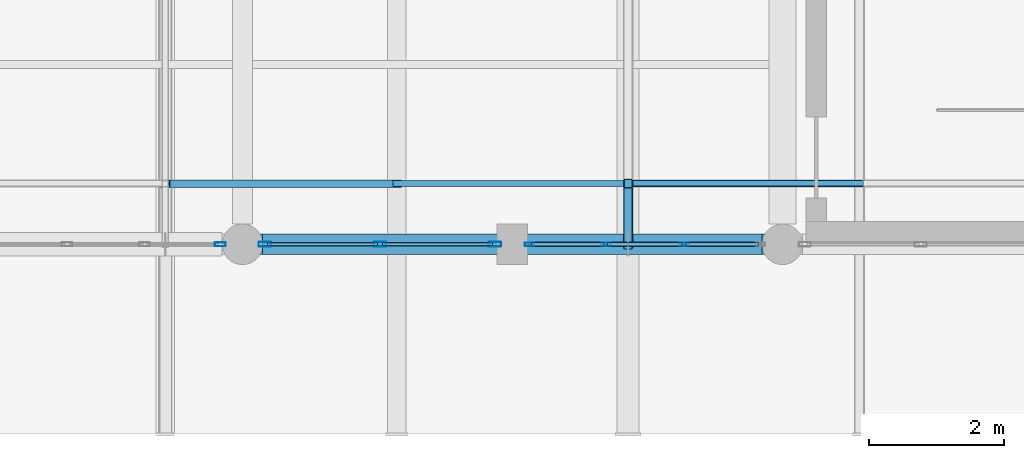
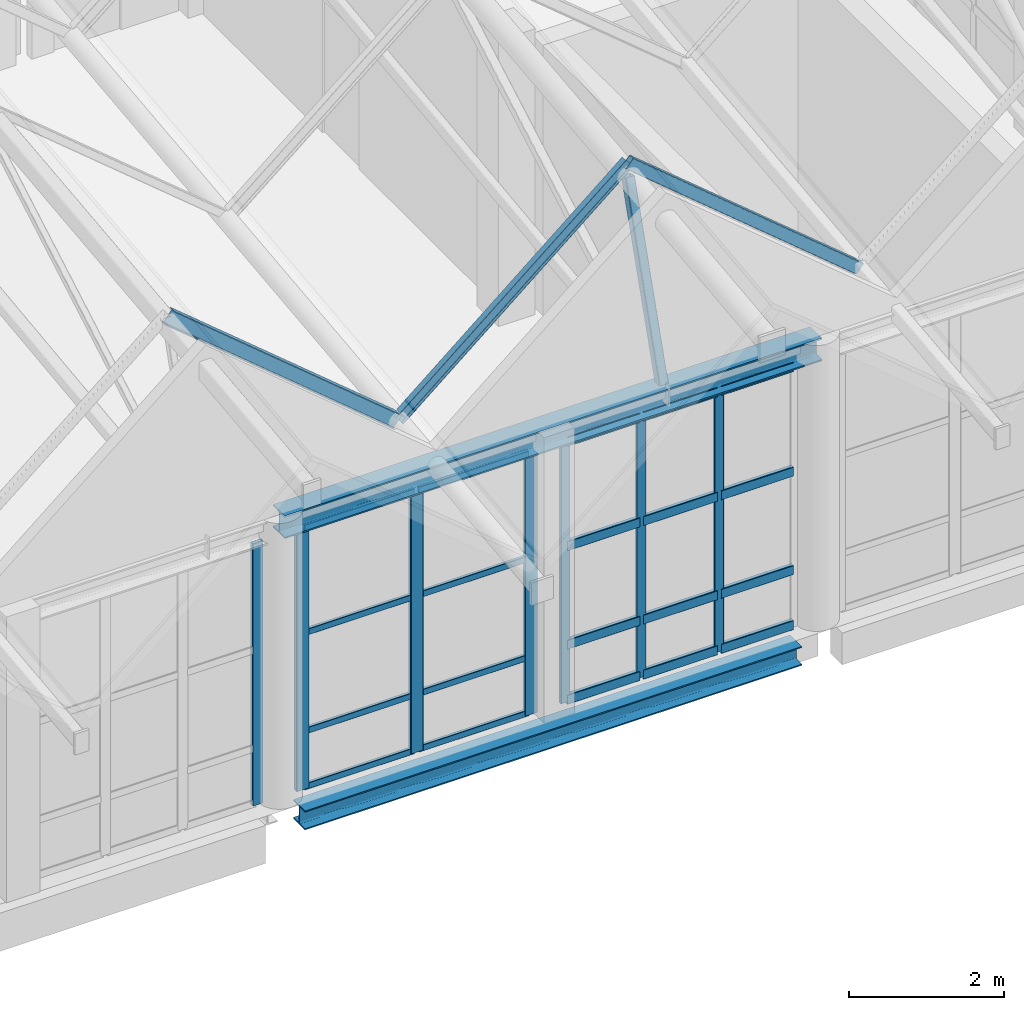
# One storey, part 75 of 183: 31 members, 2 beams, 3 elements without a shape of their own.
"""IFC4 building model written with IfcOpenShell, lengths in metres."""

from ifc_helpers import new_model, si_unit, direction, frame, origin, origin_2d, place, context, subcontext, project, spatial, hollow_rectangle, i_section, extrude, material, material_profile, profile_set, type_object, element, aggregate, save


model = new_model("IFC4")

# Units and contexts
model_context = context("Model", 3, precision=1e-05, world=origin(), true_north=direction((0.0, 1.0)))
body_context = subcontext(model_context, "Body", "Model", "MODEL_VIEW")
ifc_project = project(units=[si_unit("LENGTHUNIT", "METRE"), si_unit("AREAUNIT", "SQUARE_METRE"), si_unit("VOLUMEUNIT", "CUBIC_METRE"), si_unit("PLANEANGLEUNIT", "RADIAN"), si_unit("MASSUNIT", "GRAM", prefix="KILO")], contexts=[model_context])

# Site, building, storey
site_placement = place(None, origin())
site = spatial("IfcSite", under=ifc_project, at=site_placement, CompositionType="ELEMENT")
building_placement = place(site_placement, origin())
building = spatial("IfcBuilding", under=site, at=building_placement, Name="Luwemba Playhouse", CompositionType="ELEMENT")
storey_placement = place(building_placement, frame((0.0, 0.0, 4.800048828125)))
storey = spatial("IfcBuildingStorey", under=building, at=storey_placement, Name="L01", CompositionType="ELEMENT", Elevation=4.800048828125)

# Beams
ifc_material_1 = material(Name="Steel S355", Category="steel")
ifc_material_profile_1 = material_profile(ifc_material_1, i_section(OverallWidth=0.300048828125, OverallDepth=0.360107421875, WebThickness=0.012451171875, FlangeThickness=0.0224609375, FilletRadius=0.027099609375, at=origin_2d()))
ifc_profile_set_1 = profile_set([ifc_material_profile_1], Name="Steel S355")
beam_type_1 = type_object("IfcBeamType", Name="BM-SB09", PredefinedType="BEAM", material=ifc_profile_set_1)
beam_1_placement = place(storey_placement, frame((156.0, 3.0, 4.320068359375), z_axis=(1.0, 0.0, 0.0), x_axis=(0.0, 1.0, 0.0)))
element("IfcBeam", 1, at=beam_1_placement, inside=storey, type_object=beam_type_1, Name="RF-V5E eave ring beam 0295", PredefinedType="BEAM", context=body_context, shape_type="SweptSolid", body=[
    extrude(i_section(OverallWidth=0.300048828125, OverallDepth=0.360107421875, WebThickness=0.012451171875, FlangeThickness=0.0224609375, FilletRadius=0.027099609375, at=origin_2d()), origin(), (0.0, 0.0, 1.0), 8.0),
])
ifc_material_profile_2 = material_profile(ifc_material_1, i_section(OverallWidth=0.300048828125, OverallDepth=0.300048828125, WebThickness=0.010986328125, FlangeThickness=0.01904296875, FilletRadius=0.027099609375, at=origin_2d()))
ifc_profile_set_2 = profile_set([ifc_material_profile_2], Name="Steel S355")
beam_type_2 = type_object("IfcBeamType", Name="BM-SSP1", PredefinedType="SPANDREL", material=ifc_profile_set_2)
beam_2_placement = place(storey_placement, frame((156.300048828125, 3.0, -0.400146484375), z_axis=(1.0, 0.0, 0.0), x_axis=(0.0, 1.0, 0.0)))
element("IfcBeam", 2, at=beam_2_placement, inside=storey, type_object=beam_type_2, Name="L01 grid girder 0523", PredefinedType="SPANDREL", context=body_context, shape_type="SweptSolid", body=[
    extrude(i_section(OverallWidth=0.300048828125, OverallDepth=0.300048828125, WebThickness=0.010986328125, FlangeThickness=0.01904296875, FilletRadius=0.027099609375, at=origin_2d()), origin(), (0.0, 0.0, 1.0), 7.39990234375),
])

# Curtain wall, member
ifc_material_2 = material(Name="Solar-control double glazing", Category="glass")
curtain_wall_type_1 = type_object("IfcCurtainWallType", Name="CW-CW132", PredefinedType="USERDEFINED", material=ifc_material_2)
curtain_wall_1_placement = place(storey_placement, origin())
curtain_wall_1 = element("IfcCurtainWall", 3, at=curtain_wall_1_placement, inside=storey, type_object=curtain_wall_type_1, Name="L01 V5E unitised curtain wall 174", ObjectType="UNITISED GLAZING", PredefinedType="USERDEFINED")
ifc_material_3 = material(Name="Aluminium 6063-T6", Category="aluminium")
ifc_material_profile_3 = material_profile(ifc_material_3, hollow_rectangle(XDim=0.06005859375, YDim=0.159912109375, WallThickness=0.00390625, InnerFilletRadius=0.006103515625, OuterFilletRadius=0.010009765625, at=origin_2d()))
ifc_profile_set_3 = profile_set([ifc_material_profile_3], Name="Aluminium 6063-T6")
member_type_1 = type_object("IfcMemberType", Name="CWM-M1", PredefinedType="MULLION", material=ifc_profile_set_3)
member_1_placement = place(storey_placement, frame((155.669921875, 3.0, 0.0), z_axis=(0.0, 0.0, 1.0), x_axis=(0.0, -1.0, 0.0)))
member_1 = element("IfcMember", 4, at=member_1_placement, type_object=member_type_1, Name="CW132 mullion 1", PredefinedType="MULLION", context=body_context, shape_type="SweptSolid", body=[
    extrude(hollow_rectangle(XDim=0.06005859375, YDim=0.159912109375, WallThickness=0.00390625, InnerFilletRadius=0.006103515625, OuterFilletRadius=0.010009765625, at=origin_2d()), origin(), (0.0, 0.0, 1.0), 4.125),
])
aggregate(curtain_wall_1, [member_1])

# Curtain wall, members
curtain_wall_type_2 = type_object("IfcCurtainWallType", Name="CW-CW118", PredefinedType="USERDEFINED", material=ifc_material_2)
curtain_wall_2_placement = place(storey_placement, origin())
curtain_wall_2 = element("IfcCurtainWall", 5, at=curtain_wall_2_placement, inside=storey, type_object=curtain_wall_type_2, Name="L01 V5E unitised curtain wall 172", ObjectType="UNITISED GLAZING", PredefinedType="USERDEFINED")
ifc_material_profile_4 = material_profile(ifc_material_3, hollow_rectangle(XDim=0.054931640625, YDim=0.139892578125, WallThickness=0.00390625, InnerFilletRadius=0.006103515625, OuterFilletRadius=0.010009765625, at=origin_2d()))
ifc_profile_set_4 = profile_set([ifc_material_profile_4], Name="Aluminium 6063-T6")
member_type_2 = type_object("IfcMemberType", Name="CWM-M3", PredefinedType="MULLION", material=ifc_profile_set_4)
member_2_placement = place(storey_placement, frame((162.541748046875, 3.0, 0.0), z_axis=(0.0, 0.0, 1.0), x_axis=(0.0, -1.0, 0.0)))
member_2 = element("IfcMember", 6, at=member_2_placement, type_object=member_type_2, Name="CW118 mullion 2", PredefinedType="MULLION", context=body_context, shape_type="SweptSolid", body=[
    extrude(hollow_rectangle(XDim=0.054931640625, YDim=0.139892578125, WallThickness=0.00390625, InnerFilletRadius=0.006103515625, OuterFilletRadius=0.010009765625, at=origin_2d()), origin(), (0.0, 0.0, 1.0), 4.125),
])
member_3_placement = place(storey_placement, frame((161.38330078125, 3.0, 0.0), z_axis=(0.0, 0.0, 1.0), x_axis=(0.0, -1.0, 0.0)))
member_3 = element("IfcMember", 7, at=member_3_placement, type_object=member_type_2, Name="CW118 mullion 3", PredefinedType="MULLION", context=body_context, shape_type="SweptSolid", body=[
    extrude(hollow_rectangle(XDim=0.054931640625, YDim=0.139892578125, WallThickness=0.00390625, InnerFilletRadius=0.006103515625, OuterFilletRadius=0.010009765625, at=origin_2d()), origin(), (0.0, 0.0, 1.0), 4.125),
])
member_4_placement = place(storey_placement, frame((160.25244140625, 3.0, 0.0), z_axis=(0.0, 0.0, 1.0), x_axis=(0.0, -1.0, 0.0)))
member_4 = element("IfcMember", 8, at=member_4_placement, type_object=member_type_2, Name="CW118 mullion 4", PredefinedType="MULLION", context=body_context, shape_type="SweptSolid", body=[
    extrude(hollow_rectangle(XDim=0.054931640625, YDim=0.139892578125, WallThickness=0.00390625, InnerFilletRadius=0.006103515625, OuterFilletRadius=0.010009765625, at=origin_2d()), origin(), (0.0, 0.0, 1.0), 4.125),
])

curtain_wall_type_3 = type_object("IfcCurtainWallType", Name="CW-CW123", PredefinedType="USERDEFINED", material=ifc_material_2)
curtain_wall_3_placement = place(storey_placement, origin())
curtain_wall_3 = element("IfcCurtainWall", 9, at=curtain_wall_3_placement, inside=storey, type_object=curtain_wall_type_3, Name="L01 V5E unitised curtain wall 173", ObjectType="UNITISED GLAZING", PredefinedType="USERDEFINED")
ifc_material_profile_5 = material_profile(ifc_material_3, hollow_rectangle(XDim=0.070068359375, YDim=0.18994140625, WallThickness=0.0048828125, InnerFilletRadius=0.007568359375, OuterFilletRadius=0.012451171875, at=origin_2d()))
ifc_profile_set_5 = profile_set([ifc_material_profile_5], Name="Aluminium 6063-T6")
member_type_3 = type_object("IfcMemberType", Name="CWM-M4", PredefinedType="MULLION", material=ifc_profile_set_5)
member_5_placement = place(storey_placement, frame((159.739990234375, 3.0, 0.0), z_axis=(0.0, 0.0, 1.0), x_axis=(0.0, -1.0, 0.0)))
member_5 = element("IfcMember", 10, at=member_5_placement, type_object=member_type_3, Name="CW123 mullion 1", PredefinedType="MULLION", context=body_context, shape_type="SweptSolid", body=[
    extrude(hollow_rectangle(XDim=0.070068359375, YDim=0.18994140625, WallThickness=0.0048828125, InnerFilletRadius=0.007568359375, OuterFilletRadius=0.012451171875, at=origin_2d()), origin(), (0.0, 0.0, 1.0), 4.125),
])
member_6_placement = place(storey_placement, frame((158.03759765625, 3.0, 0.0), z_axis=(0.0, 0.0, 1.0), x_axis=(0.0, -1.0, 0.0)))
member_6 = element("IfcMember", 11, at=member_6_placement, type_object=member_type_3, Name="CW123 mullion 2", PredefinedType="MULLION", context=body_context, shape_type="SweptSolid", body=[
    extrude(hollow_rectangle(XDim=0.070068359375, YDim=0.18994140625, WallThickness=0.0048828125, InnerFilletRadius=0.007568359375, OuterFilletRadius=0.012451171875, at=origin_2d()), origin(), (0.0, 0.0, 1.0), 4.125),
])
member_7_placement = place(storey_placement, frame((156.3349609375, 3.0, 0.0), z_axis=(0.0, 0.0, 1.0), x_axis=(0.0, -1.0, 0.0)))
member_7 = element("IfcMember", 12, at=member_7_placement, type_object=member_type_3, Name="CW123 mullion 3", PredefinedType="MULLION", context=body_context, shape_type="SweptSolid", body=[
    extrude(hollow_rectangle(XDim=0.070068359375, YDim=0.18994140625, WallThickness=0.0048828125, InnerFilletRadius=0.007568359375, OuterFilletRadius=0.012451171875, at=origin_2d()), origin(), (0.0, 0.0, 1.0), 4.125),
])

# Member
ifc_material_profile_6 = material_profile(ifc_material_3, hollow_rectangle(XDim=0.06494140625, YDim=0.14990234375, WallThickness=0.00390625, InnerFilletRadius=0.006103515625, OuterFilletRadius=0.010009765625, at=origin_2d()))
ifc_profile_set_6 = profile_set([ifc_material_profile_6], Name="Aluminium 6063-T6")
member_type_4 = type_object("IfcMemberType", Name="CWT-T3", PredefinedType="USERDEFINED", material=ifc_profile_set_6)
member_8_placement = place(storey_placement, frame((163.64501953125, 3.0, 0.032470703125), z_axis=(-1.0, 0.0, 0.0), x_axis=(0.0, -1.0, 0.0)))
member_8 = element("IfcMember", 13, at=member_8_placement, type_object=member_type_4, Name="CW118 transom 1.1", ObjectType="TRANSOM", PredefinedType="USERDEFINED", context=body_context, shape_type="SweptSolid", body=[
    extrude(hollow_rectangle(XDim=0.06494140625, YDim=0.14990234375, WallThickness=0.00390625, InnerFilletRadius=0.006103515625, OuterFilletRadius=0.010009765625, at=origin_2d()), origin(), (0.0, 0.0, 1.0), 1.075927734375),
])

member_9_placement = place(storey_placement, frame((163.64501953125, 3.0, 0.89990234375), z_axis=(-1.0, 0.0, 0.0), x_axis=(0.0, -1.0, 0.0)))
member_9 = element("IfcMember", 14, at=member_9_placement, type_object=member_type_4, Name="CW118 transom 1.2", ObjectType="TRANSOM", PredefinedType="USERDEFINED", context=body_context, shape_type="SweptSolid", body=[
    extrude(hollow_rectangle(XDim=0.06494140625, YDim=0.14990234375, WallThickness=0.00390625, InnerFilletRadius=0.006103515625, OuterFilletRadius=0.010009765625, at=origin_2d()), origin(), (0.0, 0.0, 1.0), 1.075927734375),
])

member_10_placement = place(storey_placement, frame((163.64501953125, 3.0, 2.449951171875), z_axis=(-1.0, 0.0, 0.0), x_axis=(0.0, -1.0, 0.0)))
member_10 = element("IfcMember", 15, at=member_10_placement, type_object=member_type_4, Name="CW118 transom 1.3", ObjectType="TRANSOM", PredefinedType="USERDEFINED", context=body_context, shape_type="SweptSolid", body=[
    extrude(hollow_rectangle(XDim=0.06494140625, YDim=0.14990234375, WallThickness=0.00390625, InnerFilletRadius=0.006103515625, OuterFilletRadius=0.010009765625, at=origin_2d()), origin(), (0.0, 0.0, 1.0), 1.075927734375),
])

member_11_placement = place(storey_placement, frame((163.64501953125, 3.0, 4.092529296875), z_axis=(-1.0, 0.0, 0.0), x_axis=(0.0, -1.0, 0.0)))
member_11 = element("IfcMember", 16, at=member_11_placement, type_object=member_type_4, Name="CW118 transom 1.4", ObjectType="TRANSOM", PredefinedType="USERDEFINED", context=body_context, shape_type="SweptSolid", body=[
    extrude(hollow_rectangle(XDim=0.06494140625, YDim=0.14990234375, WallThickness=0.00390625, InnerFilletRadius=0.006103515625, OuterFilletRadius=0.010009765625, at=origin_2d()), origin(), (0.0, 0.0, 1.0), 1.075927734375),
])

member_12_placement = place(storey_placement, frame((162.51416015625, 3.0, 0.032470703125), z_axis=(-1.0, 0.0, 0.0), x_axis=(0.0, -1.0, 0.0)))
member_12 = element("IfcMember", 17, at=member_12_placement, type_object=member_type_4, Name="CW118 transom 2.1", ObjectType="TRANSOM", PredefinedType="USERDEFINED", context=body_context, shape_type="SweptSolid", body=[
    extrude(hollow_rectangle(XDim=0.06494140625, YDim=0.14990234375, WallThickness=0.00390625, InnerFilletRadius=0.006103515625, OuterFilletRadius=0.010009765625, at=origin_2d()), origin(), (0.0, 0.0, 1.0), 1.103271484375),
])

member_13_placement = place(storey_placement, frame((162.51416015625, 3.0, 0.89990234375), z_axis=(-1.0, 0.0, 0.0), x_axis=(0.0, -1.0, 0.0)))
member_13 = element("IfcMember", 18, at=member_13_placement, type_object=member_type_4, Name="CW118 transom 2.2", ObjectType="TRANSOM", PredefinedType="USERDEFINED", context=body_context, shape_type="SweptSolid", body=[
    extrude(hollow_rectangle(XDim=0.06494140625, YDim=0.14990234375, WallThickness=0.00390625, InnerFilletRadius=0.006103515625, OuterFilletRadius=0.010009765625, at=origin_2d()), origin(), (0.0, 0.0, 1.0), 1.103271484375),
])

member_14_placement = place(storey_placement, frame((162.51416015625, 3.0, 2.449951171875), z_axis=(-1.0, 0.0, 0.0), x_axis=(0.0, -1.0, 0.0)))
member_14 = element("IfcMember", 19, at=member_14_placement, type_object=member_type_4, Name="CW118 transom 2.3", ObjectType="TRANSOM", PredefinedType="USERDEFINED", context=body_context, shape_type="SweptSolid", body=[
    extrude(hollow_rectangle(XDim=0.06494140625, YDim=0.14990234375, WallThickness=0.00390625, InnerFilletRadius=0.006103515625, OuterFilletRadius=0.010009765625, at=origin_2d()), origin(), (0.0, 0.0, 1.0), 1.103271484375),
])

member_15_placement = place(storey_placement, frame((162.51416015625, 3.0, 4.092529296875), z_axis=(-1.0, 0.0, 0.0), x_axis=(0.0, -1.0, 0.0)))
member_15 = element("IfcMember", 20, at=member_15_placement, type_object=member_type_4, Name="CW118 transom 2.4", ObjectType="TRANSOM", PredefinedType="USERDEFINED", context=body_context, shape_type="SweptSolid", body=[
    extrude(hollow_rectangle(XDim=0.06494140625, YDim=0.14990234375, WallThickness=0.00390625, InnerFilletRadius=0.006103515625, OuterFilletRadius=0.010009765625, at=origin_2d()), origin(), (0.0, 0.0, 1.0), 1.103271484375),
])

member_16_placement = place(storey_placement, frame((161.355712890625, 3.0, 0.032470703125), z_axis=(-1.0, 0.0, 0.0), x_axis=(0.0, -1.0, 0.0)))
member_16 = element("IfcMember", 21, at=member_16_placement, type_object=member_type_4, Name="CW118 transom 3.1", ObjectType="TRANSOM", PredefinedType="USERDEFINED", context=body_context, shape_type="SweptSolid", body=[
    extrude(hollow_rectangle(XDim=0.06494140625, YDim=0.14990234375, WallThickness=0.00390625, InnerFilletRadius=0.006103515625, OuterFilletRadius=0.010009765625, at=origin_2d()), origin(), (0.0, 0.0, 1.0), 1.07568359375),
])

member_17_placement = place(storey_placement, frame((161.355712890625, 3.0, 0.89990234375), z_axis=(-1.0, 0.0, 0.0), x_axis=(0.0, -1.0, 0.0)))
member_17 = element("IfcMember", 22, at=member_17_placement, type_object=member_type_4, Name="CW118 transom 3.2", ObjectType="TRANSOM", PredefinedType="USERDEFINED", context=body_context, shape_type="SweptSolid", body=[
    extrude(hollow_rectangle(XDim=0.06494140625, YDim=0.14990234375, WallThickness=0.00390625, InnerFilletRadius=0.006103515625, OuterFilletRadius=0.010009765625, at=origin_2d()), origin(), (0.0, 0.0, 1.0), 1.07568359375),
])

member_18_placement = place(storey_placement, frame((161.355712890625, 3.0, 2.449951171875), z_axis=(-1.0, 0.0, 0.0), x_axis=(0.0, -1.0, 0.0)))
member_18 = element("IfcMember", 23, at=member_18_placement, type_object=member_type_4, Name="CW118 transom 3.3", ObjectType="TRANSOM", PredefinedType="USERDEFINED", context=body_context, shape_type="SweptSolid", body=[
    extrude(hollow_rectangle(XDim=0.06494140625, YDim=0.14990234375, WallThickness=0.00390625, InnerFilletRadius=0.006103515625, OuterFilletRadius=0.010009765625, at=origin_2d()), origin(), (0.0, 0.0, 1.0), 1.07568359375),
])

member_19_placement = place(storey_placement, frame((161.355712890625, 3.0, 4.092529296875), z_axis=(-1.0, 0.0, 0.0), x_axis=(0.0, -1.0, 0.0)))
member_19 = element("IfcMember", 24, at=member_19_placement, type_object=member_type_4, Name="CW118 transom 3.4", ObjectType="TRANSOM", PredefinedType="USERDEFINED", context=body_context, shape_type="SweptSolid", body=[
    extrude(hollow_rectangle(XDim=0.06494140625, YDim=0.14990234375, WallThickness=0.00390625, InnerFilletRadius=0.006103515625, OuterFilletRadius=0.010009765625, at=origin_2d()), origin(), (0.0, 0.0, 1.0), 1.07568359375),
])

aggregate(curtain_wall_2, [member_2, member_3, member_4, member_8, member_9, member_10, member_11, member_12, member_13, member_14, member_15, member_16, member_17, member_18, member_19])

ifc_material_profile_7 = material_profile(ifc_material_3, hollow_rectangle(XDim=0.050048828125, YDim=0.10009765625, WallThickness=0.00341796875, InnerFilletRadius=0.00537109375, OuterFilletRadius=0.0087890625, at=origin_2d()))
ifc_profile_set_7 = profile_set([ifc_material_profile_7], Name="Aluminium 6063-T6")
member_type_5 = type_object("IfcMemberType", Name="CWT-T4", PredefinedType="USERDEFINED", material=ifc_profile_set_7)
member_20_placement = place(storey_placement, frame((159.705078125, 3.0, 0.02490234375), z_axis=(-1.0, 0.0, 0.0), x_axis=(0.0, -1.0, 0.0)))
member_20 = element("IfcMember", 25, at=member_20_placement, type_object=member_type_5, Name="CW123 transom 1.1", ObjectType="TRANSOM", PredefinedType="USERDEFINED", context=body_context, shape_type="SweptSolid", body=[
    extrude(hollow_rectangle(XDim=0.050048828125, YDim=0.10009765625, WallThickness=0.00341796875, InnerFilletRadius=0.00537109375, OuterFilletRadius=0.0087890625, at=origin_2d()), origin(), (0.0, 0.0, 1.0), 1.632568359375),
])

member_21_placement = place(storey_placement, frame((159.705078125, 3.0, 0.89990234375), z_axis=(-1.0, 0.0, 0.0), x_axis=(0.0, -1.0, 0.0)))
member_21 = element("IfcMember", 26, at=member_21_placement, type_object=member_type_5, Name="CW123 transom 1.2", ObjectType="TRANSOM", PredefinedType="USERDEFINED", context=body_context, shape_type="SweptSolid", body=[
    extrude(hollow_rectangle(XDim=0.050048828125, YDim=0.10009765625, WallThickness=0.00341796875, InnerFilletRadius=0.00537109375, OuterFilletRadius=0.0087890625, at=origin_2d()), origin(), (0.0, 0.0, 1.0), 1.632568359375),
])

member_22_placement = place(storey_placement, frame((159.705078125, 3.0, 2.449951171875), z_axis=(-1.0, 0.0, 0.0), x_axis=(0.0, -1.0, 0.0)))
member_22 = element("IfcMember", 27, at=member_22_placement, type_object=member_type_5, Name="CW123 transom 1.3", ObjectType="TRANSOM", PredefinedType="USERDEFINED", context=body_context, shape_type="SweptSolid", body=[
    extrude(hollow_rectangle(XDim=0.050048828125, YDim=0.10009765625, WallThickness=0.00341796875, InnerFilletRadius=0.00537109375, OuterFilletRadius=0.0087890625, at=origin_2d()), origin(), (0.0, 0.0, 1.0), 1.632568359375),
])

member_23_placement = place(storey_placement, frame((159.705078125, 3.0, 4.099853515625), z_axis=(-1.0, 0.0, 0.0), x_axis=(0.0, -1.0, 0.0)))
member_23 = element("IfcMember", 28, at=member_23_placement, type_object=member_type_5, Name="CW123 transom 1.4", ObjectType="TRANSOM", PredefinedType="USERDEFINED", context=body_context, shape_type="SweptSolid", body=[
    extrude(hollow_rectangle(XDim=0.050048828125, YDim=0.10009765625, WallThickness=0.00341796875, InnerFilletRadius=0.00537109375, OuterFilletRadius=0.0087890625, at=origin_2d()), origin(), (0.0, 0.0, 1.0), 1.632568359375),
])

member_24_placement = place(storey_placement, frame((158.00244140625, 3.0, 0.02490234375), z_axis=(-1.0, 0.0, 0.0), x_axis=(0.0, -1.0, 0.0)))
member_24 = element("IfcMember", 29, at=member_24_placement, type_object=member_type_5, Name="CW123 transom 2.1", ObjectType="TRANSOM", PredefinedType="USERDEFINED", context=body_context, shape_type="SweptSolid", body=[
    extrude(hollow_rectangle(XDim=0.050048828125, YDim=0.10009765625, WallThickness=0.00341796875, InnerFilletRadius=0.00537109375, OuterFilletRadius=0.0087890625, at=origin_2d()), origin(), (0.0, 0.0, 1.0), 1.63232421875),
])

member_25_placement = place(storey_placement, frame((158.00244140625, 3.0, 0.89990234375), z_axis=(-1.0, 0.0, 0.0), x_axis=(0.0, -1.0, 0.0)))
member_25 = element("IfcMember", 30, at=member_25_placement, type_object=member_type_5, Name="CW123 transom 2.2", ObjectType="TRANSOM", PredefinedType="USERDEFINED", context=body_context, shape_type="SweptSolid", body=[
    extrude(hollow_rectangle(XDim=0.050048828125, YDim=0.10009765625, WallThickness=0.00341796875, InnerFilletRadius=0.00537109375, OuterFilletRadius=0.0087890625, at=origin_2d()), origin(), (0.0, 0.0, 1.0), 1.63232421875),
])

member_26_placement = place(storey_placement, frame((158.00244140625, 3.0, 2.449951171875), z_axis=(-1.0, 0.0, 0.0), x_axis=(0.0, -1.0, 0.0)))
member_26 = element("IfcMember", 31, at=member_26_placement, type_object=member_type_5, Name="CW123 transom 2.3", ObjectType="TRANSOM", PredefinedType="USERDEFINED", context=body_context, shape_type="SweptSolid", body=[
    extrude(hollow_rectangle(XDim=0.050048828125, YDim=0.10009765625, WallThickness=0.00341796875, InnerFilletRadius=0.00537109375, OuterFilletRadius=0.0087890625, at=origin_2d()), origin(), (0.0, 0.0, 1.0), 1.63232421875),
])

member_27_placement = place(storey_placement, frame((158.00244140625, 3.0, 4.099853515625), z_axis=(-1.0, 0.0, 0.0), x_axis=(0.0, -1.0, 0.0)))
member_27 = element("IfcMember", 32, at=member_27_placement, type_object=member_type_5, Name="CW123 transom 2.4", ObjectType="TRANSOM", PredefinedType="USERDEFINED", context=body_context, shape_type="SweptSolid", body=[
    extrude(hollow_rectangle(XDim=0.050048828125, YDim=0.10009765625, WallThickness=0.00341796875, InnerFilletRadius=0.00537109375, OuterFilletRadius=0.0087890625, at=origin_2d()), origin(), (0.0, 0.0, 1.0), 1.63232421875),
])

aggregate(curtain_wall_3, [member_5, member_6, member_7, member_20, member_21, member_22, member_23, member_24, member_25, member_26, member_27])

# Members
ifc_material_profile_8 = material_profile(ifc_material_1, hollow_rectangle(XDim=0.139892578125, YDim=0.139892578125, WallThickness=0.008056640625, InnerFilletRadius=0.011962890625, OuterFilletRadius=0.02001953125, at=origin_2d()))
ifc_profile_set_8 = profile_set([ifc_material_profile_8], Name="Steel S355")
member_type_6 = type_object("IfcMemberType", Name="MEM-MB07", PredefinedType="BRACE", material=ifc_profile_set_8)
member_28_placement = place(storey_placement, frame((161.71435546875, 3.0, 4.39990234375), z_axis=(0.0, 0.303860291907, 0.95271660162), x_axis=(-1.0, 0.0, 0.0)))
element("IfcMember", 33, at=member_28_placement, inside=storey, type_object=member_type_6, Name="ROOF TRUSS eave knee strut 0082", PredefinedType="BRACE", context=body_context, shape_type="SweptSolid", body=[
    extrude(hollow_rectangle(XDim=0.139892578125, YDim=0.139892578125, WallThickness=0.008056640625, InnerFilletRadius=0.011962890625, OuterFilletRadius=0.02001953125, at=origin_2d()), origin(), (0.0, 0.0, 1.0), 2.961669921875),
])
ifc_material_profile_9 = material_profile(ifc_material_1, hollow_rectangle(XDim=0.10009765625, YDim=0.179931640625, WallThickness=0.008056640625, InnerFilletRadius=0.011962890625, OuterFilletRadius=0.02001953125, at=origin_2d()))
ifc_profile_set_9 = profile_set([ifc_material_profile_9], Name="Steel S355")
member_type_7 = type_object("IfcMemberType", Name="MEM-MP04", PredefinedType="PURLIN", material=ifc_profile_set_9)
member_29_placement = place(storey_placement, frame((161.71435546875, 3.89990234375, 7.43505859375), z_axis=(0.768315447045, 0.0, -0.640071381826), x_axis=(0.0, 1.0, 0.0)))
element("IfcMember", 34, at=member_29_placement, inside=storey, type_object=member_type_7, Name="Pleated roof purlin 0595", PredefinedType="PURLIN", context=body_context, shape_type="SweptSolid", body=[
    extrude(hollow_rectangle(XDim=0.10009765625, YDim=0.179931640625, WallThickness=0.008056640625, InnerFilletRadius=0.011962890625, OuterFilletRadius=0.02001953125, at=origin_2d()), origin(), (0.0, 0.0, 1.0), 4.46240234375),
])
ifc_material_profile_10 = material_profile(ifc_material_1, i_section(OverallWidth=0.091064453125, OverallDepth=0.179931640625, WebThickness=0.00537109375, FlangeThickness=0.008056640625, FilletRadius=0.009033203125, at=origin_2d()))
ifc_profile_set_10 = profile_set([ifc_material_profile_10], Name="Steel S355")
member_type_8 = type_object("IfcMemberType", Name="MEM-MP06", PredefinedType="PURLIN", material=ifc_profile_set_10)
member_30_placement = place(storey_placement, frame((158.28564453125, 3.89990234375, 4.582763671875), z_axis=(0.768364765209, 0.0, 0.640012177685), x_axis=(0.0, 1.0, 0.0)))
element("IfcMember", 35, at=member_30_placement, inside=storey, type_object=member_type_8, Name="Pleated roof purlin 0589", PredefinedType="PURLIN", context=body_context, shape_type="SweptSolid", body=[
    extrude(i_section(OverallWidth=0.091064453125, OverallDepth=0.179931640625, WebThickness=0.00537109375, FlangeThickness=0.008056640625, FilletRadius=0.009033203125, at=origin_2d()), origin(), (0.0, 0.0, 1.0), 4.46240234375),
])
ifc_material_profile_11 = material_profile(ifc_material_1, i_section(OverallWidth=0.110107421875, OverallDepth=0.219970703125, WebThickness=0.005859375, FlangeThickness=0.00927734375, FilletRadius=0.011962890625, at=origin_2d()))
ifc_profile_set_11 = profile_set([ifc_material_profile_11], Name="Steel S355")
member_type_9 = type_object("IfcMemberType", Name="MEM-MP08", PredefinedType="PURLIN", material=ifc_profile_set_11)
member_31_placement = place(storey_placement, frame((154.857177734375, 3.89990234375, 7.410888671875), z_axis=(0.768342353216, 0.0, -0.640039083381), x_axis=(0.0, 1.0, 0.0)))
element("IfcMember", 36, at=member_31_placement, inside=storey, type_object=member_type_9, Name="Pleated roof purlin 0583", PredefinedType="PURLIN", context=body_context, shape_type="SweptSolid", body=[
    extrude(i_section(OverallWidth=0.110107421875, OverallDepth=0.219970703125, WebThickness=0.005859375, FlangeThickness=0.00927734375, FilletRadius=0.011962890625, at=origin_2d()), origin(), (0.0, 0.0, 1.0), 4.462158203125),
])

save(model, "model.ifc")
